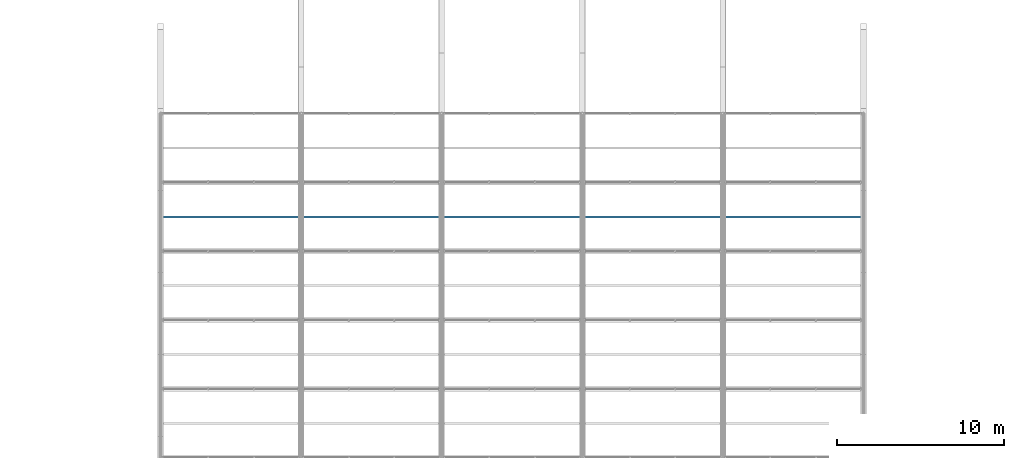
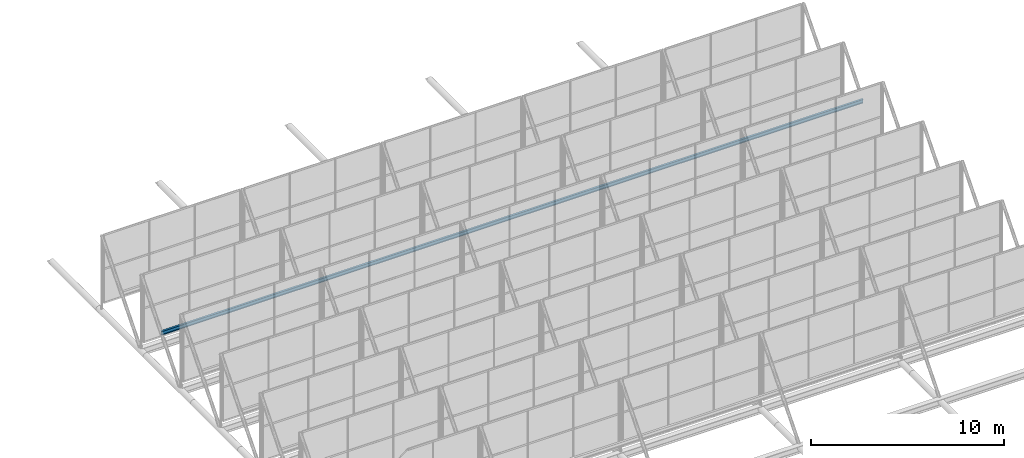
# One storey, part 32 of 77: 1 beam.
"""IFC4 building model written with IfcOpenShell, lengths in metres."""

from ifc_helpers import new_model, si_unit, derived_unit, direction, frame, origin, origin_2d, place, context, subcontext, project, spatial, i_section, extrude, material, material_profile, profile_set, type_object, element, save


model = new_model("IFC4")

# Units and contexts
model_context = context("Model", 3, precision=1e-05, world=origin(), true_north=direction((0.0, 1.0)))
body_context = subcontext(model_context, "Body", "Model", "MODEL_VIEW")
ifc_project = project(units=[si_unit("LENGTHUNIT", "METRE"), si_unit("AREAUNIT", "SQUARE_METRE"), si_unit("VOLUMEUNIT", "CUBIC_METRE"), si_unit("PLANEANGLEUNIT", "RADIAN"), si_unit("MASSUNIT", "GRAM", prefix="KILO"), derived_unit("THERMALTRANSMITTANCEUNIT", [(si_unit("MASSUNIT", "GRAM", prefix="KILO"), 1), (si_unit("TIMEUNIT", "SECOND"), -3), (si_unit("THERMODYNAMICTEMPERATUREUNIT", "KELVIN"), -1)])], contexts=[model_context])

# Site, building, storey
site_placement = place(None, origin())
site = spatial("IfcSite", under=ifc_project, at=site_placement, CompositionType="ELEMENT")
building_placement = place(site_placement, origin())
building = spatial("IfcBuilding", under=site, at=building_placement, Name="Kharveza Railside Sports Centre", CompositionType="ELEMENT")
storey_placement = place(building_placement, frame((0.0, 0.0, 17.10009765625)))
storey = spatial("IfcBuildingStorey", under=building, at=storey_placement, Name="L04", CompositionType="ELEMENT", Elevation=17.10009765625)

# Beam
ifc_material = material(Name="Steel S275JR", Category="steel")
ifc_material_profile = material_profile(ifc_material, i_section(OverallWidth=0.1201171875, OverallDepth=0.239990234375, WebThickness=0.006103515625, FlangeThickness=0.009765625, FilletRadius=0.014892578125, at=origin_2d()), Name="IPE 240")
ifc_profile_set = profile_set([ifc_material_profile], Name="Steel S275JR")
beam_type = type_object("IfcBeamType", Name="BM-J01", PredefinedType="JOIST", material=ifc_profile_set)
beam_placement = place(storey_placement, frame((33.60009765625, 58.62841796875, 1.31982421875), z_axis=(1.0, 0.0, 0.0), x_axis=(0.0, 1.0, 0.0)))
element("IfcBeam", 1, at=beam_placement, inside=storey, type_object=beam_type, Name="BM-V1SAW-PUR-6", PredefinedType="JOIST", context=body_context, shape_type="SweptSolid", body=[
    extrude(i_section(OverallWidth=0.1201171875, OverallDepth=0.239990234375, WebThickness=0.006103515625, FlangeThickness=0.009765625, FilletRadius=0.014892578125, at=origin_2d()), origin(), (0.0, 0.0, 1.0), 42.0),
])

save(model, "model.ifc")
